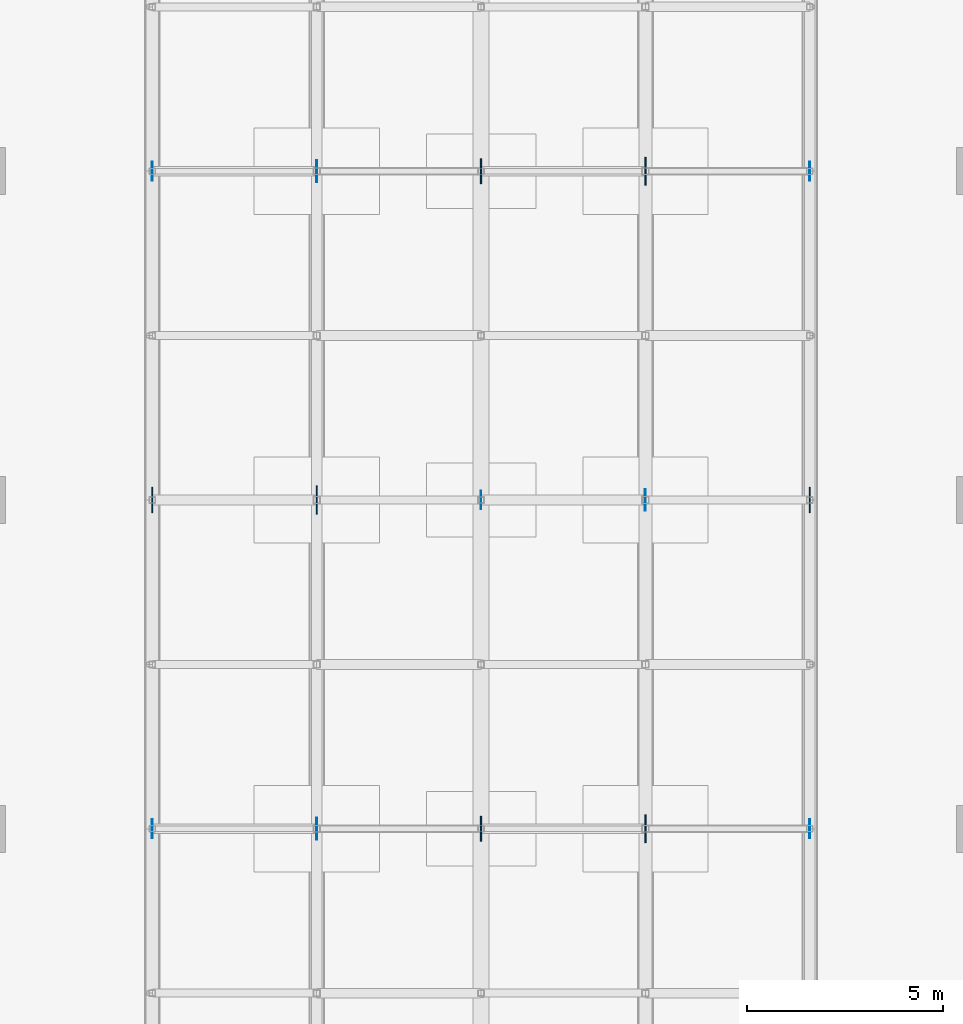
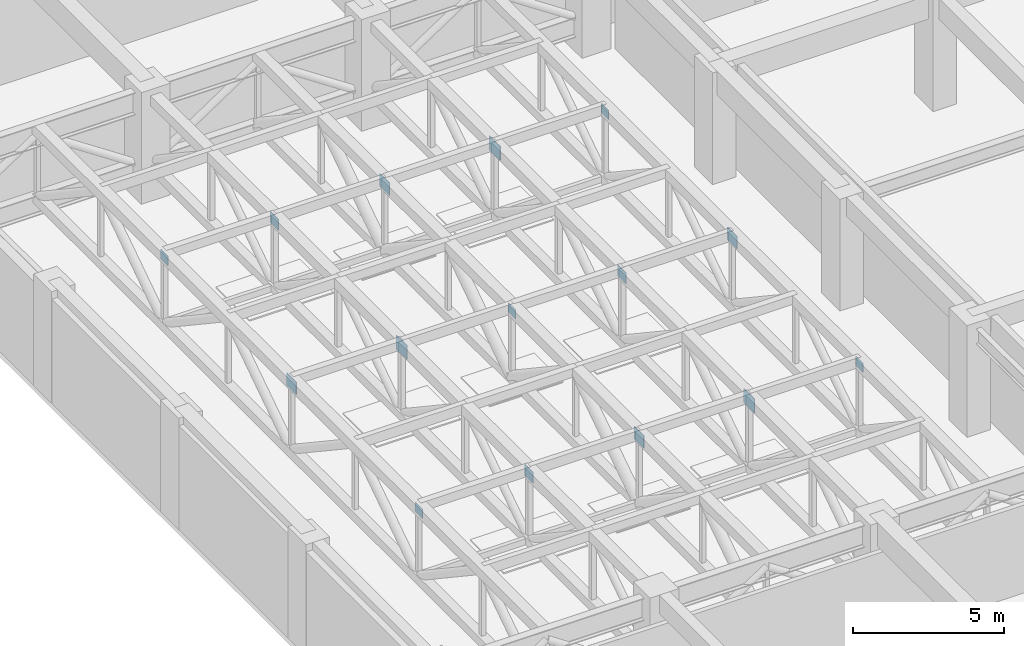
# One storey, part 40 of 47: 15 plates.
"""IFC4 building model written with IfcOpenShell, lengths in metres."""

from ifc_helpers import new_model, si_unit, direction, frame, origin, origin_2d, place, context, subcontext, project, spatial, rectangle, extrude, material, layer, layer_set, type_object, element, save


model = new_model("IFC4")

# Units and contexts
model_context = context("Model", 3, precision=1e-05, world=origin(), true_north=direction((0.0, 1.0)))
body_context = subcontext(model_context, "Body", "Model", "MODEL_VIEW")
ifc_project = project(units=[si_unit("LENGTHUNIT", "METRE"), si_unit("AREAUNIT", "SQUARE_METRE"), si_unit("VOLUMEUNIT", "CUBIC_METRE"), si_unit("PLANEANGLEUNIT", "RADIAN"), si_unit("MASSUNIT", "GRAM", prefix="KILO")], contexts=[model_context])

# Site, building, storey
site_placement = place(None, origin())
site = spatial("IfcSite", under=ifc_project, at=site_placement, CompositionType="ELEMENT")
building_placement = place(site_placement, origin())
building = spatial("IfcBuilding", under=site, at=building_placement, Name="Xuanlan Plaza Opera House", CompositionType="ELEMENT")
storey_placement = place(building_placement, frame((0.0, 0.0, 23.39990234375)))
storey = spatial("IfcBuildingStorey", under=building, at=storey_placement, Name="L05", CompositionType="ELEMENT", Elevation=23.39990234375)

# Plates
ifc_material = material(Name="Steel Q355B", Category="steel")
ifc_layer_1 = layer(ifc_material, 0.02392578125)
ifc_layer_set_1 = layer_set([ifc_layer_1], Name="Steel Q355B")
plate_type_1 = type_object("IfcPlateType", Name="STR-PLT-GP01", PredefinedType="SHEET", material=ifc_layer_set_1)
for number, where, z_axis, x_axis, name in (
    (1, (75.60009765625, 50.39990234375, 3.67919921875), (0.0, 0.0, 1.0), (1.0, 0.0, 0.0), "Auditorium Truss Gusset Plate AUD-02-N2"),
    (2, (75.60009765625, 67.199951171875, 3.67919921875), (0.0, 0.0, 1.0), (1.0, 0.0, 0.0), "Auditorium Truss Gusset Plate AUD-02-N6"),
    (3, (84.0, 58.800048828125, 3.67919921875), (0.0, 0.0, 1.0), (1.0, 0.0, 0.0), "Auditorium Truss Gusset Plate AUD-04-N4"),
):
    element("IfcPlate", number, at=place(storey_placement, frame(where, z_axis=z_axis, x_axis=x_axis)), inside=storey, type_object=plate_type_1, Name=name, PredefinedType="SHEET", context=body_context, shape_type="SweptSolid", body=[
        extrude(rectangle(XDim=0.02392578125, YDim=0.56005859375, at=origin_2d()), origin(), (0.0, 0.0, 1.0), 0.43994140625),
    ])
ifc_layer_2 = layer(ifc_material, 0.028076171875)
ifc_layer_set_2 = layer_set([ifc_layer_2], Name="Steel Q355B")
plate_type_2 = type_object("IfcPlateType", Name="STR-PLT-GP02", PredefinedType="SHEET", material=ifc_layer_set_2)
for number, where, z_axis, x_axis, name in (
    (4, (71.39990234375, 58.800048828125, 3.649169921875), (0.0, 0.0, 1.0), (1.0, 0.0, 0.0), "Auditorium Truss Gusset Plate AUD-01-N4"),
    (5, (79.800048828125, 50.39990234375, 3.649169921875), (0.0, 0.0, 1.0), (1.0, 0.0, 0.0), "Auditorium Truss Gusset Plate AUD-03-N2"),
    (6, (79.800048828125, 67.199951171875, 3.649169921875), (0.0, 0.0, 1.0), (1.0, 0.0, 0.0), "Auditorium Truss Gusset Plate AUD-03-N6"),
    (7, (88.199951171875, 58.800048828125, 3.649169921875), (0.0, 0.0, 1.0), (1.0, 0.0, 0.0), "Auditorium Truss Gusset Plate AUD-05-N4"),
):
    element("IfcPlate", number, at=place(storey_placement, frame(where, z_axis=z_axis, x_axis=x_axis)), inside=storey, type_object=plate_type_2, Name=name, PredefinedType="SHEET", context=body_context, shape_type="SweptSolid", body=[
        extrude(rectangle(XDim=0.028076171875, YDim=0.639892578125, at=origin_2d()), origin(), (0.0, 0.0, 1.0), 0.5),
    ])
ifc_layer_3 = layer(ifc_material, 0.031982421875)
ifc_layer_set_3 = layer_set([ifc_layer_3], Name="Steel Q355B")
plate_type_3 = type_object("IfcPlateType", Name="STR-PLT-GP03", PredefinedType="SHEET", material=ifc_layer_set_3)
for number, where, z_axis, x_axis, name in (
    (8, (75.60009765625, 58.800048828125, 3.619140625), (0.0, 0.0, 1.0), (1.0, 0.0, 0.0), "Auditorium Truss Gusset Plate AUD-02-N4"),
    (9, (84.0, 50.39990234375, 3.619140625), (0.0, 0.0, 1.0), (1.0, 0.0, 0.0), "Auditorium Truss Gusset Plate AUD-04-N2"),
    (10, (84.0, 67.199951171875, 3.619140625), (0.0, 0.0, 1.0), (1.0, 0.0, 0.0), "Auditorium Truss Gusset Plate AUD-04-N6"),
):
    element("IfcPlate", number, at=place(storey_placement, frame(where, z_axis=z_axis, x_axis=x_axis)), inside=storey, type_object=plate_type_3, Name=name, PredefinedType="SHEET", context=body_context, shape_type="SweptSolid", body=[
        extrude(rectangle(XDim=0.031982421875, YDim=0.719970703125, at=origin_2d()), origin(), (0.0, 0.0, 1.0), 0.56005859375),
    ])
ifc_layer_4 = layer(ifc_material, 0.02001953125)
ifc_layer_set_4 = layer_set([ifc_layer_4], Name="Steel Q355B")
plate_type_4 = type_object("IfcPlateType", Name="STR-PLT-GP04", PredefinedType="SHEET", material=ifc_layer_set_4)
for number, where, z_axis, x_axis, name in (
    (11, (71.39990234375, 50.39990234375, 3.709228515625), (0.0, 0.0, 1.0), (1.0, 0.0, 0.0), "Auditorium Truss Gusset Plate AUD-01-N2"),
    (12, (71.39990234375, 67.199951171875, 3.709228515625), (0.0, 0.0, 1.0), (1.0, 0.0, 0.0), "Auditorium Truss Gusset Plate AUD-01-N6"),
    (13, (79.800048828125, 58.800048828125, 3.709228515625), (0.0, 0.0, 1.0), (1.0, 0.0, 0.0), "Auditorium Truss Gusset Plate AUD-03-N4"),
    (14, (88.199951171875, 50.39990234375, 3.709228515625), (0.0, 0.0, 1.0), (1.0, 0.0, 0.0), "Auditorium Truss Gusset Plate AUD-05-N2"),
    (15, (88.199951171875, 67.199951171875, 3.709228515625), (0.0, 0.0, 1.0), (1.0, 0.0, 0.0), "Auditorium Truss Gusset Plate AUD-05-N6"),
):
    element("IfcPlate", number, at=place(storey_placement, frame(where, z_axis=z_axis, x_axis=x_axis)), inside=storey, type_object=plate_type_4, Name=name, PredefinedType="SHEET", context=body_context, shape_type="SweptSolid", body=[
        extrude(rectangle(XDim=0.02001953125, YDim=0.47998046875, at=origin_2d()), origin(), (0.0, 0.0, 1.0), 0.3798828125),
    ])

save(model, "model.ifc")
